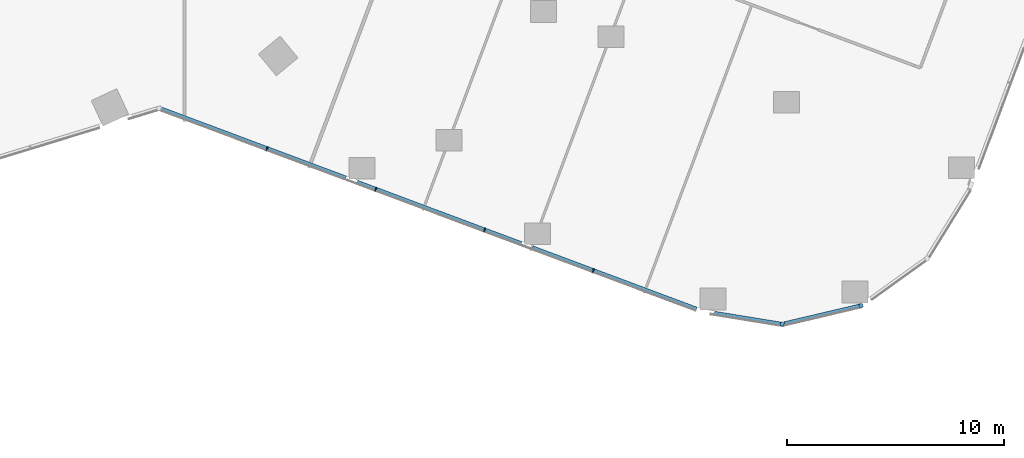
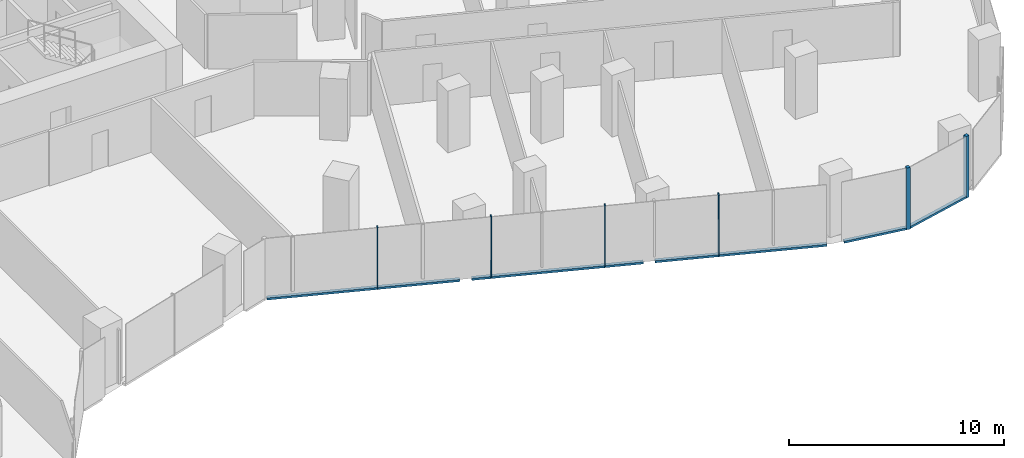
# One storey, part 8 of 31: 11 members, 3 elements without a shape of their own.
"""IFC4 building model written with IfcOpenShell, lengths in metres."""

from ifc_helpers import new_model, si_unit, direction, frame, origin, origin_2d, place, context, subcontext, project, spatial, rectangle, extrude, material, material_profile, profile_set, type_object, element, aggregate, save


model = new_model("IFC4")

# Units and contexts
model_context = context("Model", 3, precision=1e-05, world=origin(), true_north=direction((0.0, 1.0)))
body_context = subcontext(model_context, "Body", "Model", "MODEL_VIEW")
ifc_project = project(units=[si_unit("LENGTHUNIT", "METRE"), si_unit("AREAUNIT", "SQUARE_METRE"), si_unit("VOLUMEUNIT", "CUBIC_METRE"), si_unit("PLANEANGLEUNIT", "RADIAN"), si_unit("MASSUNIT", "GRAM", prefix="KILO")], contexts=[model_context])

# Site, building, storey
site_placement = place(None, origin())
site = spatial("IfcSite", under=ifc_project, at=site_placement, CompositionType="ELEMENT")
building_placement = place(site_placement, origin())
building = spatial("IfcBuilding", under=site, at=building_placement, Name="Orlundy Tower", CompositionType="ELEMENT")
storey_placement = place(building_placement, frame((0.0, 0.0, 87.699951171875)))
storey = spatial("IfcBuildingStorey", under=building, at=storey_placement, Name="L21", CompositionType="ELEMENT", Elevation=87.699951171875)

# Curtain wall, member
ifc_material_1 = material(Name="Aluminium bronze anodised", Category="aluminium")
curtain_wall_type = type_object("IfcCurtainWallType", Name="CW1 wall", PredefinedType="NOTDEFINED", material=ifc_material_1)
curtain_wall_1_placement = place(storey_placement, origin())
curtain_wall_1 = element("IfcCurtainWall", 1, at=curtain_wall_1_placement, inside=storey, type_object=curtain_wall_type, Name="CW1 run 014", PredefinedType="NOTDEFINED")
ifc_material_2 = material(Name="Aluminium bronze anodised", Category="aluminium")
ifc_material_profile_1 = material_profile(ifc_material_2, rectangle(XDim=0.179931640625, YDim=0.179931640625, at=origin_2d()), Name="CW1 corner post 180x180")
ifc_profile_set_1 = profile_set([ifc_material_profile_1], Name="Aluminium bronze anodised")
member_type_1 = type_object("IfcMemberType", Name="CW1 corner post 180x180", PredefinedType="MULLION", material=ifc_profile_set_1)
member_1_placement = place(storey_placement, frame((47.134033203125, -36.073486328125, -0.39990234375), z_axis=(0.0, 0.0, 1.0), x_axis=(0.229309985845, -0.97335344577, 0.0)))
member_1 = element("IfcMember", 2, at=member_1_placement, type_object=member_type_1, Name="CW1 mullion 42", PredefinedType="MULLION", context=body_context, shape_type="SweptSolid", body=[
    extrude(rectangle(XDim=0.179931640625, YDim=0.179931640625, at=origin_2d()), origin(), (0.0, 0.0, 1.0), 3.5),
])

curtain_wall_2_placement = place(storey_placement, origin())
curtain_wall_2 = element("IfcCurtainWall", 3, at=curtain_wall_2_placement, inside=storey, type_object=curtain_wall_type, Name="CW1 run 015", PredefinedType="NOTDEFINED")
member_2_placement = place(storey_placement, frame((43.4912109375, -36.931640625, -0.39990234375), z_axis=(0.0, 0.0, 1.0), x_axis=(-0.160767268774, -0.986992343076, 0.0)))
member_2 = element("IfcMember", 4, at=member_2_placement, type_object=member_type_1, Name="CW1 mullion 43", PredefinedType="MULLION", context=body_context, shape_type="SweptSolid", body=[
    extrude(rectangle(XDim=0.179931640625, YDim=0.179931640625, at=origin_2d()), origin(), (0.0, 0.0, 1.0), 3.5),
])

# Curtain wall, members
curtain_wall_3_placement = place(storey_placement, origin())
curtain_wall_3 = element("IfcCurtainWall", 5, at=curtain_wall_3_placement, inside=storey, type_object=curtain_wall_type, Name="CW1 run 016", PredefinedType="NOTDEFINED")
ifc_material_3 = material(Name="Aluminium bronze anodised", Category="aluminium")
ifc_material_profile_2 = material_profile(ifc_material_3, rectangle(XDim=0.179931640625, YDim=0.050048828125, at=origin_2d()), Name="CW1 mullion 50x180")
ifc_profile_set_2 = profile_set([ifc_material_profile_2], Name="Aluminium bronze anodised")
member_type_2 = type_object("IfcMemberType", Name="CW1 mullion 50x180", PredefinedType="MULLION", material=ifc_profile_set_2)
member_3_placement = place(storey_placement, frame((34.780029296875, -34.452392578125, -0.39990234375), z_axis=(0.0, 0.0, 1.0), x_axis=(-0.350219011684, -0.936667840729, 0.0)))
member_3 = element("IfcMember", 6, at=member_3_placement, type_object=member_type_2, Name="CW1 mullion 45", PredefinedType="MULLION", context=body_context, shape_type="SweptSolid", body=[
    extrude(rectangle(XDim=0.179931640625, YDim=0.050048828125, at=origin_2d()), origin(), (0.0, 0.0, 1.0), 3.5),
])
member_4_placement = place(storey_placement, frame((29.7626953125, -32.576416015625, -0.39990234375), z_axis=(0.0, 0.0, 1.0), x_axis=(-0.350219011684, -0.936667840729, 0.0)))
member_4 = element("IfcMember", 7, at=member_4_placement, type_object=member_type_2, Name="CW1 mullion 46", PredefinedType="MULLION", context=body_context, shape_type="SweptSolid", body=[
    extrude(rectangle(XDim=0.179931640625, YDim=0.050048828125, at=origin_2d()), origin(), (0.0, 0.0, 1.0), 3.5),
])
member_5_placement = place(storey_placement, frame((24.745361328125, -30.7001953125, -0.39990234375), z_axis=(0.0, 0.0, 1.0), x_axis=(-0.350219011684, -0.936667840729, 0.0)))
member_5 = element("IfcMember", 8, at=member_5_placement, type_object=member_type_2, Name="CW1 mullion 47", PredefinedType="MULLION", context=body_context, shape_type="SweptSolid", body=[
    extrude(rectangle(XDim=0.179931640625, YDim=0.050048828125, at=origin_2d()), origin(), (0.0, 0.0, 1.0), 3.5),
])
member_6_placement = place(storey_placement, frame((19.727783203125, -28.82421875, -0.39990234375), z_axis=(0.0, 0.0, 1.0), x_axis=(-0.350219011684, -0.936667840729, 0.0)))
member_6 = element("IfcMember", 9, at=member_6_placement, type_object=member_type_2, Name="CW1 mullion 48", PredefinedType="MULLION", context=body_context, shape_type="SweptSolid", body=[
    extrude(rectangle(XDim=0.179931640625, YDim=0.050048828125, at=origin_2d()), origin(), (0.0, 0.0, 1.0), 3.5),
])

# Member
ifc_material_4 = material(Name="Aluminium bronze anodised", Category="aluminium")
ifc_material_profile_3 = material_profile(ifc_material_4, rectangle(XDim=0.179931640625, YDim=0.1201171875, at=origin_2d()), Name="CW1 transom 180x120")
ifc_profile_set_3 = profile_set([ifc_material_profile_3], Name="Aluminium bronze anodised")
member_type_3 = type_object("IfcMemberType", Name="CW1 transom 180x120", PredefinedType="USERDEFINED", material=ifc_profile_set_3)
member_7_placement = place(storey_placement, frame((47.04638671875, -36.09423828125, -0.33984375), z_axis=(-0.973356793262, -0.22929577626, 0.0), x_axis=(0.22929577626, -0.973356793262, 0.0)))
member_7 = element("IfcMember", 10, at=member_7_placement, type_object=member_type_3, Name="CW1 transom", ObjectType="TRANSOM", PredefinedType="USERDEFINED", context=body_context, shape_type="SweptSolid", body=[
    extrude(rectangle(XDim=0.179931640625, YDim=0.1201171875, at=origin_2d()), origin(), (0.0, 0.0, 1.0), 3.55517578125),
])

aggregate(curtain_wall_1, [member_1, member_7])

member_8_placement = place(storey_placement, frame((43.40234375, -36.917236328125, -0.33984375), z_axis=(-0.986988010756, 0.160793863761, 0.0), x_axis=(-0.160793863761, -0.986988010756, 0.0)))
member_8 = element("IfcMember", 11, at=member_8_placement, type_object=member_type_3, Name="CW1 transom", ObjectType="TRANSOM", PredefinedType="USERDEFINED", context=body_context, shape_type="SweptSolid", body=[
    extrude(rectangle(XDim=0.179931640625, YDim=0.1201171875, at=origin_2d()), origin(), (0.0, 0.0, 1.0), 3.0869140625),
])

aggregate(curtain_wall_2, [member_2, member_8])

member_9_placement = place(storey_placement, frame((39.541015625, -36.232421875, -0.33984375), z_axis=(-0.936672607981, 0.350206261306, 0.0), x_axis=(-0.350206261306, -0.936672607981, 0.0)))
member_9 = element("IfcMember", 12, at=member_9_placement, type_object=member_type_3, Name="CW1 transom", ObjectType="TRANSOM", PredefinedType="USERDEFINED", context=body_context, shape_type="SweptSolid", body=[
    extrude(rectangle(XDim=0.179931640625, YDim=0.1201171875, at=origin_2d()), origin(), (0.0, 0.0, 1.0), 8.081787109375),
])

member_10_placement = place(storey_placement, frame((31.452880859375, -33.208251953125, -0.33984375), z_axis=(-0.936665197562, 0.350226080804, 0.0), x_axis=(-0.350226080804, -0.936665197562, 0.0)))
member_10 = element("IfcMember", 13, at=member_10_placement, type_object=member_type_3, Name="CW1 transom", ObjectType="TRANSOM", PredefinedType="USERDEFINED", context=body_context, shape_type="SweptSolid", body=[
    extrude(rectangle(XDim=0.179931640625, YDim=0.1201171875, at=origin_2d()), origin(), (0.0, 0.0, 1.0), 8.081298828125),
])

member_11_placement = place(storey_placement, frame((23.365966796875, -30.1845703125, -0.33984375), z_axis=(-0.936668450317, 0.350217381323, 0.0), x_axis=(-0.350217381323, -0.936668450317, 0.0)))
member_11 = element("IfcMember", 14, at=member_11_placement, type_object=member_type_3, Name="CW1 transom", ObjectType="TRANSOM", PredefinedType="USERDEFINED", context=body_context, shape_type="SweptSolid", body=[
    extrude(rectangle(XDim=0.179931640625, YDim=0.1201171875, at=origin_2d()), origin(), (0.0, 0.0, 1.0), 9.0966796875),
])

aggregate(curtain_wall_3, [member_3, member_4, member_5, member_6, member_9, member_10, member_11])

save(model, "model.ifc")
